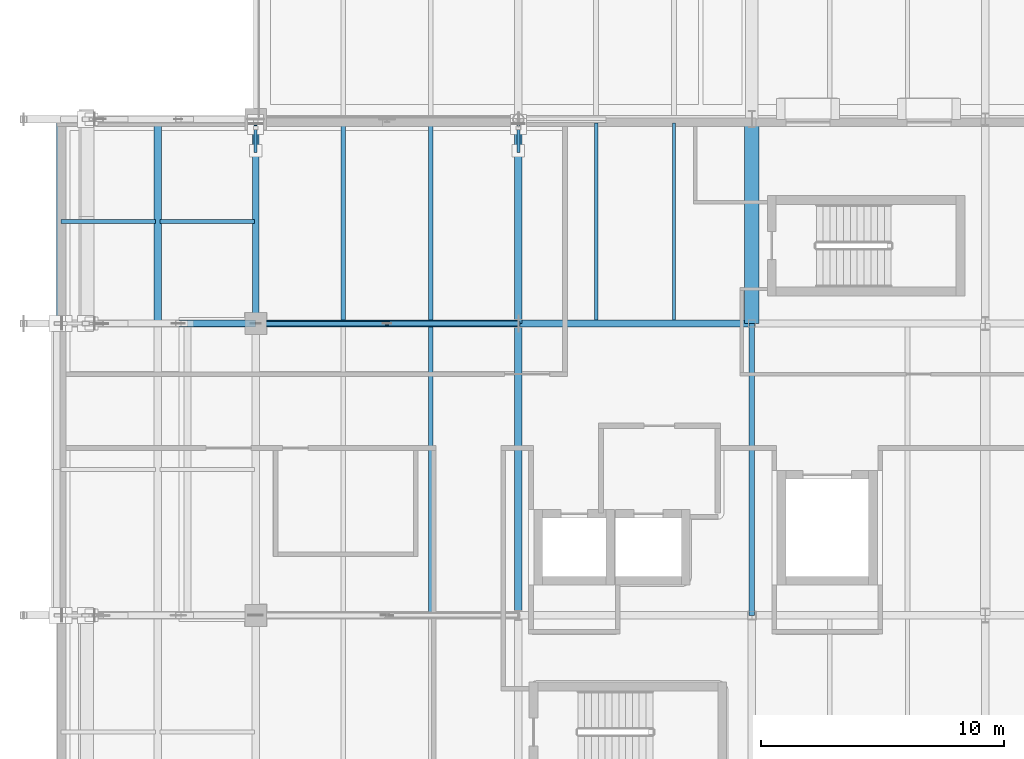
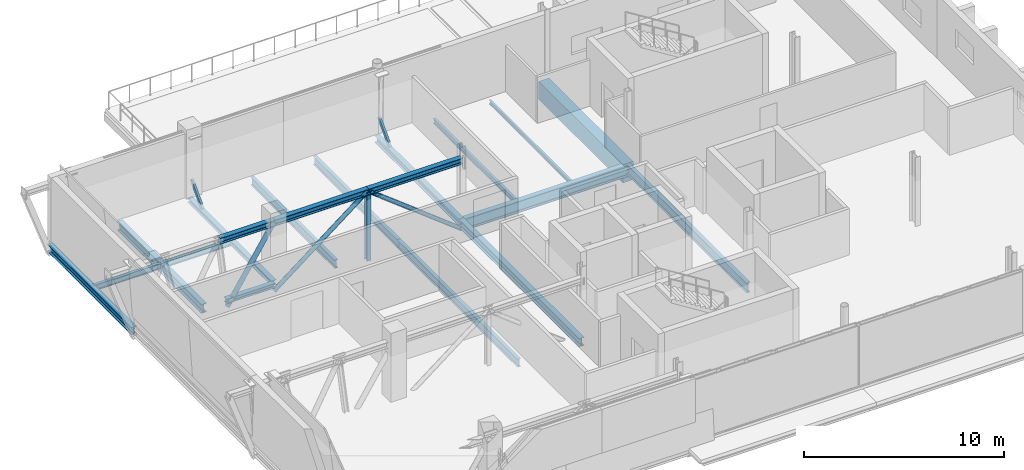
# One storey, part 15 of 57: 16 beams, 9 members.
"""IFC4 building model written with IfcOpenShell, lengths in metres."""

from ifc_helpers import new_model, si_unit, direction, frame, origin, origin_2d, place, context, subcontext, project, spatial, rectangle, hollow_rectangle, hollow_circle, i_section, extrude, material, material_profile, profile_set, type_object, element, save


model = new_model("IFC4")

# Units and contexts
model_context = context("Model", 3, precision=1e-05, world=origin(), true_north=direction((0.0, 1.0)))
body_context = subcontext(model_context, "Body", "Model", "MODEL_VIEW")
ifc_project = project(units=[si_unit("LENGTHUNIT", "METRE"), si_unit("AREAUNIT", "SQUARE_METRE"), si_unit("VOLUMEUNIT", "CUBIC_METRE"), si_unit("PLANEANGLEUNIT", "RADIAN"), si_unit("MASSUNIT", "GRAM", prefix="KILO")], contexts=[model_context])

# Site, building, storey
site_placement = place(None, origin())
site = spatial("IfcSite", under=ifc_project, at=site_placement, CompositionType="ELEMENT")
building_placement = place(site_placement, origin())
building = spatial("IfcBuilding", under=site, at=building_placement, Name="Zereglee Splitstone Museum", CompositionType="ELEMENT")
storey_placement = place(building_placement, frame((0.0, 0.0, 17.10009765625)))
storey = spatial("IfcBuildingStorey", under=building, at=storey_placement, Name="L03", CompositionType="ELEMENT", Elevation=17.10009765625)

# Beam
ifc_material_1 = material(Name="Concrete C40/50", Category="concrete")
ifc_material_profile_1 = material_profile(ifc_material_1, rectangle(XDim=0.60009765625, YDim=1.10009765625, at=origin_2d()), Name="RC 600x1100")
ifc_profile_set_1 = profile_set([ifc_material_profile_1], Name="Concrete C40/50")
beam_type_1 = type_object("IfcBeamType", Name="BG-01", PredefinedType="BEAM", material=ifc_profile_set_1)
beam_1_placement = place(storey_placement, frame((30.0, 21.60009765625, -0.830078125), z_axis=(0.0, 1.0, 0.0), x_axis=(-1.0, 0.0, 0.0)))
element("IfcBeam", 1, at=beam_1_placement, inside=storey, type_object=beam_type_1, Name="Primary Girder L03 5 (21.6-30.0)", PredefinedType="BEAM", context=body_context, shape_type="SweptSolid", body=[
    extrude(rectangle(XDim=0.60009765625, YDim=1.10009765625, at=origin_2d()), origin(), (0.0, 0.0, 1.0), 8.39990234375),
])

# Members
ifc_material_2 = material(Name="Steel S355J2H", Category="steel")
ifc_material_profile_2 = material_profile(ifc_material_2, hollow_circle(Radius=0.122314453125, WallThickness=0.012451171875, at=origin_2d()), Name="CHS 244.5x12.5")
ifc_profile_set_2 = profile_set([ifc_material_profile_2], Name="Steel S355J2H")
member_type_1 = type_object("IfcMemberType", Name="TB-02", PredefinedType="BRACE", material=ifc_profile_set_2)
for number, where, z_axis, x_axis, name in (
    (2, (9.60009765625, 21.60009765625, -0.900146484375), (0.789350295703, 0.0, 0.613943084229), (0.0, 1.0, 0.0), "Cantilever Truss CT-03 Web Brace L03-4"),
    (3, (20.39990234375, 21.60009765625, -0.900146484375), (-0.789350295703, 0.0, 0.613943084229), (0.0, -1.0, 0.0), "Cantilever Truss CT-03 Web Brace L03-5"),
):
    element("IfcMember", number, at=place(storey_placement, frame(where, z_axis=z_axis, x_axis=x_axis)), inside=storey, type_object=member_type_1, Name=name, PredefinedType="BRACE", context=body_context, shape_type="SweptSolid", body=[
        extrude(hollow_circle(Radius=0.122314453125, WallThickness=0.012451171875, at=origin_2d()), origin(), (0.0, 0.0, 1.0), 6.841064453125),
    ])
ifc_material_profile_3 = material_profile(ifc_material_2, hollow_circle(Radius=0.136474609375, WallThickness=0.012451171875, at=origin_2d()), Name="CHS 273.0x12.5")
ifc_profile_set_3 = profile_set([ifc_material_profile_3], Name="Steel S355J2H")
member_type_2 = type_object("IfcMemberType", Name="TB-01", PredefinedType="BRACE", material=ifc_profile_set_3)
member_1_placement = place(storey_placement, frame((6.916748046875, 21.60009765625, -0.900146484375), z_axis=(0.538396041065, 0.0, 0.842691938353), x_axis=(0.0, 1.0, 0.0)))
element("IfcMember", 4, at=member_1_placement, inside=storey, type_object=member_type_2, Name="Cantilever Truss CT-03 Web Brace L03-3", PredefinedType="BRACE", context=body_context, shape_type="SweptSolid", body=[
    extrude(hollow_circle(Radius=0.136474609375, WallThickness=0.012451171875, at=origin_2d()), origin(), (0.0, 0.0, 1.0), 4.98388671875),
])
ifc_material_3 = material(Name="Steel S355J2", Category="steel")
ifc_material_profile_4 = material_profile(ifc_material_3, i_section(OverallWidth=0.300048828125, OverallDepth=0.360107421875, WebThickness=0.012451171875, FlangeThickness=0.0224609375, FilletRadius=0.027099609375, at=origin_2d()), Name="HE 360 B")
ifc_profile_set_4 = profile_set([ifc_material_profile_4], Name="Steel S355J2")
member_type_3 = type_object("IfcMemberType", Name="TC-06", PredefinedType="CHORD", material=ifc_profile_set_4)
member_2_placement = place(storey_placement, frame((6.416748046875, 21.60009765625, 3.2998046875), z_axis=(1.0, 0.0, 0.0), x_axis=(0.0, 1.0, 0.0)))
element("IfcMember", 5, at=member_2_placement, inside=storey, type_object=member_type_3, Name="Cantilever Truss CT-03 Top Chord L03-3", PredefinedType="CHORD", context=body_context, shape_type="SweptSolid", body=[
    extrude(i_section(OverallWidth=0.300048828125, OverallDepth=0.360107421875, WebThickness=0.012451171875, FlangeThickness=0.0224609375, FilletRadius=0.027099609375, at=origin_2d()), origin(), (0.0, 0.0, 1.0), 3.183349609375),
])
for number, where, z_axis, x_axis, name in (
    (6, (9.60009765625, 21.60009765625, 3.2998046875), (1.0, 0.0, 0.0), (0.0, 1.0, 0.0), "Cantilever Truss CT-03 Top Chord L03-4"),
    (7, (15.0, 21.60009765625, 3.2998046875), (1.0, 0.0, 0.0), (0.0, 1.0, 0.0), "Cantilever Truss CT-03 Top Chord L03-5"),
):
    element("IfcMember", number, at=place(storey_placement, frame(where, z_axis=z_axis, x_axis=x_axis)), inside=storey, type_object=member_type_3, Name=name, PredefinedType="CHORD", context=body_context, shape_type="SweptSolid", body=[
        extrude(i_section(OverallWidth=0.300048828125, OverallDepth=0.360107421875, WebThickness=0.012451171875, FlangeThickness=0.0224609375, FilletRadius=0.027099609375, at=origin_2d()), origin(), (0.0, 0.0, 1.0), 5.39990234375),
    ])

# Beams
ifc_material_profile_5 = material_profile(ifc_material_3, i_section(OverallWidth=0.300048828125, OverallDepth=0.39990234375, WebThickness=0.013427734375, FlangeThickness=0.02392578125, FilletRadius=0.027099609375, at=origin_2d()), Name="HE 400 B")
ifc_profile_set_5 = profile_set([ifc_material_profile_5], Name="Steel S355J2")
beam_type_2 = type_object("IfcBeamType", Name="BG-13", PredefinedType="BEAM", material=ifc_profile_set_5)
beam_2_placement = place(storey_placement, frame((20.39990234375, 21.60009765625, -0.47998046875), z_axis=(0.0, 1.0, 0.0), x_axis=(-1.0, 0.0, 0.0)))
element("IfcBeam", 8, at=beam_2_placement, inside=storey, type_object=beam_type_2, Name="Primary Girder L03 4 (21.6-30.0)", PredefinedType="BEAM", context=body_context, shape_type="SweptSolid", body=[
    extrude(i_section(OverallWidth=0.300048828125, OverallDepth=0.39990234375, WebThickness=0.013427734375, FlangeThickness=0.02392578125, FilletRadius=0.027099609375, at=origin_2d()), origin(), (0.0, 0.0, 1.0), 8.39990234375),
])
ifc_material_profile_6 = material_profile(ifc_material_3, i_section(OverallWidth=0.300048828125, OverallDepth=0.5, WebThickness=0.014404296875, FlangeThickness=0.028076171875, FilletRadius=0.027099609375, at=origin_2d()), Name="HE 500 B")
ifc_profile_set_6 = profile_set([ifc_material_profile_6], Name="Steel S355J2")
beam_type_3 = type_object("IfcBeamType", Name="BG-12", PredefinedType="BEAM", material=ifc_profile_set_6)
beam_3_placement = place(storey_placement, frame((20.39990234375, 9.60009765625, -0.530029296875), z_axis=(0.0, 1.0, 0.0), x_axis=(-1.0, 0.0, 0.0)))
element("IfcBeam", 9, at=beam_3_placement, inside=storey, type_object=beam_type_3, Name="Primary Girder L03 4 (9.6-21.6)", PredefinedType="BEAM", context=body_context, shape_type="SweptSolid", body=[
    extrude(i_section(OverallWidth=0.300048828125, OverallDepth=0.5, WebThickness=0.014404296875, FlangeThickness=0.028076171875, FilletRadius=0.027099609375, at=origin_2d()), origin(), (0.0, 0.0, 1.0), 12.0),
])
ifc_material_profile_7 = material_profile(ifc_material_3, i_section(OverallWidth=0.300048828125, OverallDepth=0.550048828125, WebThickness=0.014892578125, FlangeThickness=0.029052734375, FilletRadius=0.027099609375, at=origin_2d()), Name="HE 550 B")
ifc_profile_set_7 = profile_set([ifc_material_profile_7], Name="Steel S355J2")
beam_type_4 = type_object("IfcBeamType", Name="BG-11", PredefinedType="BEAM", material=ifc_profile_set_7)
beam_4_placement = place(storey_placement, frame((5.574951171875, 21.60009765625, -0.55517578125), z_axis=(0.0, 1.0, 0.0), x_axis=(-1.0, 0.0, 0.0)))
element("IfcBeam", 10, at=beam_4_placement, inside=storey, type_object=beam_type_4, Name="Cantilever Transverse Girder L03 X=5.58", PredefinedType="BEAM", context=body_context, shape_type="SweptSolid", body=[
    extrude(i_section(OverallWidth=0.300048828125, OverallDepth=0.550048828125, WebThickness=0.014892578125, FlangeThickness=0.029052734375, FilletRadius=0.027099609375, at=origin_2d()), origin(), (0.0, 0.0, 1.0), 8.39990234375),
])
ifc_material_profile_8 = material_profile(ifc_material_3, i_section(OverallWidth=0.300048828125, OverallDepth=0.699951171875, WebThickness=0.01708984375, FlangeThickness=0.031982421875, FilletRadius=0.027099609375, at=origin_2d()), Name="HE 700 B")
ifc_profile_set_8 = profile_set([ifc_material_profile_8], Name="Steel S355J2")
beam_type_5 = type_object("IfcBeamType", Name="BG-08", PredefinedType="BEAM", material=ifc_profile_set_8)
beam_5_placement = place(storey_placement, frame((20.39990234375, 21.60009765625, -0.630126953125), z_axis=(1.0, 0.0, 0.0), x_axis=(0.0, 1.0, 0.0)))
element("IfcBeam", 11, at=beam_5_placement, inside=storey, type_object=beam_type_5, Name="Primary Girder L03 C (20.4-30.0)", PredefinedType="BEAM", context=body_context, shape_type="SweptSolid", body=[
    extrude(i_section(OverallWidth=0.300048828125, OverallDepth=0.699951171875, WebThickness=0.01708984375, FlangeThickness=0.031982421875, FilletRadius=0.027099609375, at=origin_2d()), origin(), (0.0, 0.0, 1.0), 9.60009765625),
])
ifc_material_profile_9 = material_profile(ifc_material_3, i_section(OverallWidth=0.219970703125, OverallDepth=0.60009765625, WebThickness=0.011962890625, FlangeThickness=0.01904296875, FilletRadius=0.02392578125, at=origin_2d()), Name="IPE 600")
ifc_profile_set_9 = profile_set([ifc_material_profile_9], Name="Steel S355J2")
beam_type_6 = type_object("IfcBeamType", Name="BG-15", PredefinedType="BEAM", material=ifc_profile_set_9)
beam_6_placement = place(storey_placement, frame((30.0, 9.60009765625, -0.580078125), z_axis=(0.0, 1.0, 0.0), x_axis=(-1.0, 0.0, 0.0)))
element("IfcBeam", 12, at=beam_6_placement, inside=storey, type_object=beam_type_6, Name="Primary Girder L03 5 (9.6-21.6)", PredefinedType="BEAM", context=body_context, shape_type="SweptSolid", body=[
    extrude(i_section(OverallWidth=0.219970703125, OverallDepth=0.60009765625, WebThickness=0.011962890625, FlangeThickness=0.01904296875, FilletRadius=0.02392578125, at=origin_2d()), origin(), (0.0, 0.0, 1.0), 12.0),
])
ifc_material_profile_10 = material_profile(ifc_material_3, i_section(OverallWidth=0.1201171875, OverallDepth=0.239990234375, WebThickness=0.006103515625, FlangeThickness=0.009765625, FilletRadius=0.014892578125, at=origin_2d()), Name="IPE 240")
ifc_profile_set_10 = profile_set([ifc_material_profile_10], Name="Steel S355J2")
beam_type_7 = type_object("IfcBeamType", Name="BJ-07", PredefinedType="JOIST", material=ifc_profile_set_10)
beam_7_placement = place(storey_placement, frame((26.800048828125, 21.75, -0.400146484375), z_axis=(0.0, 1.0, 0.0), x_axis=(-1.0, 0.0, 0.0)))
element("IfcBeam", 13, at=beam_7_placement, inside=storey, type_object=beam_type_7, Name="Secondary Floor Joist L03-1343", PredefinedType="JOIST", context=body_context, shape_type="SweptSolid", body=[
    extrude(i_section(OverallWidth=0.1201171875, OverallDepth=0.239990234375, WebThickness=0.006103515625, FlangeThickness=0.009765625, FilletRadius=0.014892578125, at=origin_2d()), origin(), (0.0, 0.0, 1.0), 8.10009765625),
])
ifc_material_profile_11 = material_profile(ifc_material_3, i_section(OverallWidth=0.14990234375, OverallDepth=0.300048828125, WebThickness=0.007080078125, FlangeThickness=0.0107421875, FilletRadius=0.014892578125, at=origin_2d()), Name="IPE 300")
ifc_profile_set_11 = profile_set([ifc_material_profile_11], Name="Steel S355J2")
beam_type_8 = type_object("IfcBeamType", Name="BJ-06", PredefinedType="JOIST", material=ifc_profile_set_11)
beam_8_placement = place(storey_placement, frame((23.60009765625, 21.75, -0.43017578125), z_axis=(0.0, 1.0, 0.0), x_axis=(-1.0, 0.0, 0.0)))
element("IfcBeam", 14, at=beam_8_placement, inside=storey, type_object=beam_type_8, Name="Secondary Floor Joist L03-1342", PredefinedType="JOIST", context=body_context, shape_type="SweptSolid", body=[
    extrude(i_section(OverallWidth=0.14990234375, OverallDepth=0.300048828125, WebThickness=0.007080078125, FlangeThickness=0.0107421875, FilletRadius=0.014892578125, at=origin_2d()), origin(), (0.0, 0.0, 1.0), 8.10009765625),
])
ifc_material_profile_12 = material_profile(ifc_material_3, i_section(OverallWidth=0.169921875, OverallDepth=0.360107421875, WebThickness=0.008056640625, FlangeThickness=0.0126953125, FilletRadius=0.01806640625, at=origin_2d()), Name="IPE 360")
ifc_profile_set_12 = profile_set([ifc_material_profile_12], Name="Steel S355J2")
beam_type_9 = type_object("IfcBeamType", Name="BJ-04", PredefinedType="JOIST", material=ifc_profile_set_12)
beam_9_placement = place(storey_placement, frame((1.590087890625, 25.800048828125, -0.460205078125), z_axis=(1.0, 0.0, 0.0), x_axis=(0.0, 1.0, 0.0)))
element("IfcBeam", 15, at=beam_9_placement, inside=storey, type_object=beam_type_9, Name="Cantilever Floor Joist L03-1628", PredefinedType="JOIST", context=body_context, shape_type="SweptSolid", body=[
    extrude(i_section(OverallWidth=0.169921875, OverallDepth=0.360107421875, WebThickness=0.008056640625, FlangeThickness=0.0126953125, FilletRadius=0.01806640625, at=origin_2d()), origin(), (0.0, 0.0, 1.0), 3.885009765625),
])
beam_10_placement = place(storey_placement, frame((5.675048828125, 25.800048828125, -0.460205078125), z_axis=(1.0, 0.0, 0.0), x_axis=(0.0, 1.0, 0.0)))
element("IfcBeam", 16, at=beam_10_placement, inside=storey, type_object=beam_type_9, Name="Cantilever Floor Joist L03-1629", PredefinedType="JOIST", context=body_context, shape_type="SweptSolid", body=[
    extrude(i_section(OverallWidth=0.169921875, OverallDepth=0.360107421875, WebThickness=0.008056640625, FlangeThickness=0.0126953125, FilletRadius=0.01806640625, at=origin_2d()), origin(), (0.0, 0.0, 1.0), 3.875),
])
ifc_material_profile_13 = material_profile(ifc_material_3, i_section(OverallWidth=0.199951171875, OverallDepth=0.5, WebThickness=0.01025390625, FlangeThickness=0.01611328125, FilletRadius=0.02099609375, at=origin_2d()), Name="IPE 500")
ifc_profile_set_13 = profile_set([ifc_material_profile_13], Name="Steel S355J2")
beam_type_10 = type_object("IfcBeamType", Name="BJ-01", PredefinedType="JOIST", material=ifc_profile_set_13)
beam_11_placement = place(storey_placement, frame((16.800048828125, 9.60009765625, -0.530029296875), z_axis=(0.0, 1.0, 0.0), x_axis=(-1.0, 0.0, 0.0)))
element("IfcBeam", 17, at=beam_11_placement, inside=storey, type_object=beam_type_10, Name="Secondary Floor Joist L03-1316", PredefinedType="JOIST", context=body_context, shape_type="SweptSolid", body=[
    extrude(i_section(OverallWidth=0.199951171875, OverallDepth=0.5, WebThickness=0.01025390625, FlangeThickness=0.01611328125, FilletRadius=0.02099609375, at=origin_2d()), origin(), (0.0, 0.0, 1.0), 12.0),
])
for number, where, z_axis, x_axis, name in (
    (18, (13.199951171875, 21.60009765625, -0.530029296875), (0.0, 1.0, 0.0), (-1.0, 0.0, 0.0), "Secondary Floor Joist L03-1340"),
    (19, (16.800048828125, 21.60009765625, -0.530029296875), (0.0, 1.0, 0.0), (-1.0, 0.0, 0.0), "Secondary Floor Joist L03-1341"),
):
    element("IfcBeam", number, at=place(storey_placement, frame(where, z_axis=z_axis, x_axis=x_axis)), inside=storey, type_object=beam_type_10, Name=name, PredefinedType="JOIST", context=body_context, shape_type="SweptSolid", body=[
        extrude(i_section(OverallWidth=0.199951171875, OverallDepth=0.5, WebThickness=0.01025390625, FlangeThickness=0.01611328125, FilletRadius=0.02099609375, at=origin_2d()), origin(), (0.0, 0.0, 1.0), 8.39990234375),
    ])

# Member
ifc_material_profile_14 = material_profile(ifc_material_3, i_section(OverallWidth=0.239990234375, OverallDepth=0.239990234375, WebThickness=0.010009765625, FlangeThickness=0.01708984375, FilletRadius=0.02099609375, at=origin_2d()), Name="HE 240 B")
ifc_profile_set_14 = profile_set([ifc_material_profile_14], Name="Steel S355J2")
member_type_4 = type_object("IfcMemberType", Name="TP-02", PredefinedType="POST", material=ifc_profile_set_14)
member_3_placement = place(storey_placement, frame((15.0, 21.60009765625, -0.900146484375), z_axis=(0.0, 0.0, 1.0), x_axis=(1.0, 0.0, 0.0)))
element("IfcMember", 20, at=member_3_placement, inside=storey, type_object=member_type_4, Name="Cantilever Truss CT-03 Post L03-4", PredefinedType="POST", context=body_context, shape_type="SweptSolid", body=[
    extrude(i_section(OverallWidth=0.239990234375, OverallDepth=0.239990234375, WebThickness=0.010009765625, FlangeThickness=0.01708984375, FilletRadius=0.02099609375, at=origin_2d()), origin(), (0.0, 0.0, 1.0), 4.199951171875),
])

# Beams
ifc_material_profile_15 = material_profile(ifc_material_3, i_section(OverallWidth=0.280029296875, OverallDepth=0.280029296875, WebThickness=0.010498046875, FlangeThickness=0.01806640625, FilletRadius=0.02392578125, at=origin_2d()), Name="HE 280 B")
ifc_profile_set_15 = profile_set([ifc_material_profile_15], Name="Steel S355J2")
beam_type_11 = type_object("IfcBeamType", Name="SP-03", PredefinedType="SPANDREL", material=ifc_profile_set_15)
beam_12_placement = place(storey_placement, frame((9.60009765625, 21.60009765625, -0.420166015625), z_axis=(0.0, 1.0, 0.0), x_axis=(-1.0, 0.0, 0.0)))
element("IfcBeam", 21, at=beam_12_placement, inside=storey, type_object=beam_type_11, Name="Primary Girder L03 2 (21.6-30.0)", PredefinedType="SPANDREL", context=body_context, shape_type="SweptSolid", body=[
    extrude(i_section(OverallWidth=0.280029296875, OverallDepth=0.280029296875, WebThickness=0.010498046875, FlangeThickness=0.01806640625, FilletRadius=0.02392578125, at=origin_2d()), origin(), (0.0, 0.0, 1.0), 8.39990234375),
])
beam_13_placement = place(storey_placement, frame((6.800048828125, 21.60009765625, -0.505126953125), z_axis=(1.0, 0.0, 0.0), x_axis=(0.0, 1.0, 0.0)))
element("IfcBeam", 22, at=beam_13_placement, inside=storey, type_object=beam_type_11, Name="Pishtaq Return Tie Beam PSQ-WEST-1 (21.6)", PredefinedType="SPANDREL", context=body_context, shape_type="SweptSolid", body=[
    extrude(i_section(OverallWidth=0.280029296875, OverallDepth=0.280029296875, WebThickness=0.010498046875, FlangeThickness=0.01806640625, FilletRadius=0.02392578125, at=origin_2d()), origin(), (0.0, 0.0, 1.0), 2.800048828125),
])
ifc_material_profile_16 = material_profile(ifc_material_3, i_section(OverallWidth=0.300048828125, OverallDepth=0.449951171875, WebThickness=0.013916015625, FlangeThickness=0.02587890625, FilletRadius=0.027099609375, at=origin_2d()), Name="HE 450 B")
ifc_profile_set_16 = profile_set([ifc_material_profile_16], Name="Steel S355J2")
beam_type_12 = type_object("IfcBeamType", Name="SP-02", PredefinedType="SPANDREL", material=ifc_profile_set_16)
beam_14_placement = place(storey_placement, frame((1.550048828125, 21.60009765625, -0.505126953125), z_axis=(0.0, 1.0, 0.0), x_axis=(-1.0, 0.0, 0.0)))
element("IfcBeam", 23, at=beam_14_placement, inside=storey, type_object=beam_type_12, Name="Cantilever Transverse Girder L03 X=1.55", PredefinedType="SPANDREL", context=body_context, shape_type="SweptSolid", body=[
    extrude(i_section(OverallWidth=0.300048828125, OverallDepth=0.449951171875, WebThickness=0.013916015625, FlangeThickness=0.02587890625, FilletRadius=0.027099609375, at=origin_2d()), origin(), (0.0, 0.0, 1.0), 8.39990234375),
])

# Members
ifc_material_profile_17 = material_profile(ifc_material_2, hollow_rectangle(XDim=0.1201171875, YDim=0.199951171875, WallThickness=0.008056640625, at=origin_2d()), Name="RHS 200x120x8")
ifc_profile_set_17 = profile_set([ifc_material_profile_17], Name="Steel S355J2H")
member_type_5 = type_object("IfcMemberType", Name="FS-T1", PredefinedType="STRUT", material=ifc_profile_set_17)
for number, where, z_axis, x_axis, name in (
    (24, (9.60009765625, 28.699951171875, -0.239990234375), (0.0, 0.691585000026, 0.722295083562), (-1.0, 0.0, 0.0), "Facet Tie-Back Strut FH-V1N-W L03-01"),
    (25, (20.39990234375, 28.699951171875, -0.239990234375), (0.0, 0.691585000026, 0.722295083562), (-1.0, 0.0, 0.0), "Facet Tie-Back Strut FH-V1N-W L03-02"),
):
    element("IfcMember", number, at=place(storey_placement, frame(where, z_axis=z_axis, x_axis=x_axis)), inside=storey, type_object=member_type_5, Name=name, PredefinedType="STRUT", context=body_context, shape_type="SweptSolid", body=[
        extrude(hollow_rectangle(XDim=0.1201171875, YDim=0.199951171875, WallThickness=0.008056640625, at=origin_2d()), origin(), (0.0, 0.0, 1.0), 1.60595703125),
    ])

save(model, "model.ifc")
